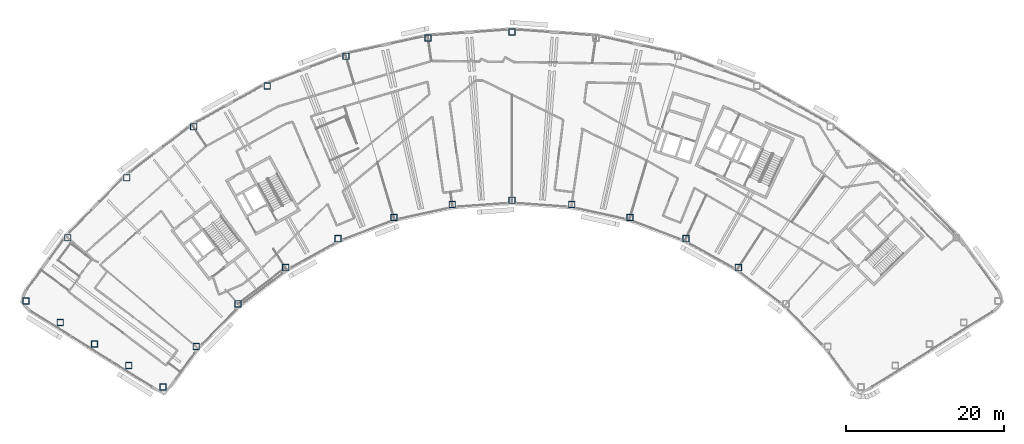
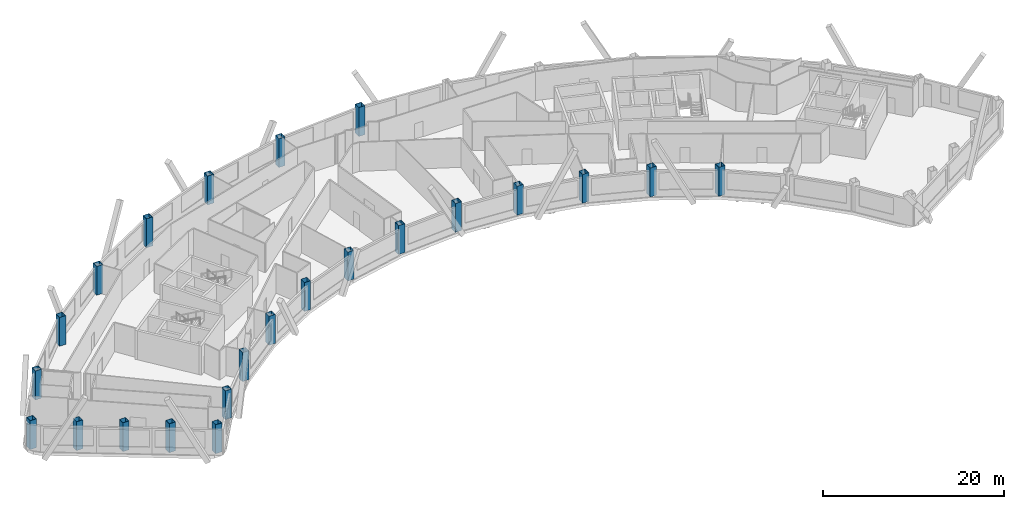
# One storey, part 1 of 13: 23 columns.
"""IFC4 building model written with IfcOpenShell, lengths in metres."""

from ifc_helpers import new_model, si_unit, direction, frame, origin, origin_2d, place, context, subcontext, project, spatial, hollow_rectangle, extrude, material, material_profile, profile_set, type_object, element, save


model = new_model("IFC4")

# Units and contexts
model_context = context("Model", 3, precision=1e-05, world=origin(), true_north=direction((0.0, 1.0)))
body_context = subcontext(model_context, "Body", "Model", "MODEL_VIEW")
ifc_project = project(units=[si_unit("LENGTHUNIT", "METRE"), si_unit("AREAUNIT", "SQUARE_METRE"), si_unit("VOLUMEUNIT", "CUBIC_METRE"), si_unit("PLANEANGLEUNIT", "RADIAN"), si_unit("MASSUNIT", "GRAM", prefix="KILO")], contexts=[model_context])

# Site, building, storey
site_placement = place(None, origin())
site = spatial("IfcSite", under=ifc_project, at=site_placement, CompositionType="ELEMENT")
building_placement = place(site_placement, origin())
building = spatial("IfcBuilding", under=site, at=building_placement, Name="Tuul Gate Civic Tower", CompositionType="ELEMENT")
storey_placement = place(building_placement, frame((0.0, 0.0, 319.699951171875)))
storey = spatial("IfcBuildingStorey", under=building, at=storey_placement, Name="Level 72", CompositionType="ELEMENT", Elevation=319.699951171875)

# Columns
ifc_material = material(Name="Steel S355", Category="steel")
ifc_material_profile = material_profile(ifc_material, hollow_rectangle(XDim=0.800048828125, YDim=0.800048828125, WallThickness=0.031982421875, at=origin_2d()), Name="BOX800x800x32")
ifc_profile_set = profile_set([ifc_material_profile], Name="Steel S355")
column_type = type_object("IfcColumnType", Name="STR-COLUMN-BOX800x800x32", PredefinedType="COLUMN", material=ifc_profile_set)
for number, where, z_axis, x_axis, name in (
    (1, (2.19189453125, 13.827880859375, 0.0), (0.0, 0.0, 1.0), (1.0, 0.0, 0.0), "Column"),
    (2, (-8.45703125, 13.055908203125, 0.0), (0.0, 0.0, 1.0), (1.0, 0.0, 0.0), "Column"),
    (3, (-18.885009765625, 10.758056640625, 0.0), (0.0, 0.0, 1.0), (1.0, 0.0, 0.0), "Column"),
    (4, (-28.8720703125, 6.98193359375, 0.0), (0.0, 0.0, 1.0), (1.0, 0.0, 0.0), "Column"),
    (5, (-38.2099609375, 1.804931640625, 0.0), (0.0, 0.0, 1.0), (1.0, 0.0, 0.0), "Column"),
    (6, (-46.7060546875, -4.6630859375, 0.0), (0.0, 0.0, 1.0), (1.0, 0.0, 0.0), "Column"),
    (7, (-54.179931640625, -12.2880859375, 0.0), (0.0, 0.0, 1.0), (1.0, 0.0, 0.0), "Column"),
    (8, (-59.47900390625, -20.300048828125, 0.0), (0.0, 0.0, 1.0), (1.0, 0.0, 0.0), "Column"),
    (9, (-55.135986328125, -23.034912109375, 0.0), (0.0, 0.0, 1.0), (1.0, 0.0, 0.0), "Column"),
    (10, (-50.7939453125, -25.77001953125, 0.0), (0.0, 0.0, 1.0), (1.0, 0.0, 0.0), "Column"),
    (11, (-46.450927734375, -28.50390625, 0.0), (0.0, 0.0, 1.0), (1.0, 0.0, 0.0), "Column"),
    (12, (-42.10888671875, -31.239013671875, 0.0), (0.0, 0.0, 1.0), (1.0, 0.0, 0.0), "Column"),
    (13, (-37.888916015625, -26.096923828125, 0.0), (0.0, 0.0, 1.0), (1.0, 0.0, 0.0), "Column"),
    (14, (-32.574951171875, -20.675048828125, 0.0), (0.0, 0.0, 1.0), (1.0, 0.0, 0.0), "Column"),
    (15, (-26.534912109375, -16.075927734375, 0.0), (0.0, 0.0, 1.0), (1.0, 0.0, 0.0), "Column"),
    (16, (-19.89501953125, -12.39599609375, 0.0), (0.0, 0.0, 1.0), (1.0, 0.0, 0.0), "Column"),
    (17, (-12.7939453125, -9.7099609375, 0.0), (0.0, 0.0, 1.0), (1.0, 0.0, 0.0), "Column"),
    (18, (-5.3798828125, -8.076904296875, 0.0), (0.0, 0.0, 1.0), (1.0, 0.0, 0.0), "Column"),
    (19, (2.19189453125, -7.528076171875, 0.0), (0.0, 0.0, 1.0), (1.0, 0.0, 0.0), "Column"),
    (20, (9.763916015625, -8.076904296875, 0.0), (0.0, 0.0, 1.0), (1.0, 0.0, 0.0), "Column"),
    (21, (17.177978515625, -9.7099609375, 0.0), (0.0, 0.0, 1.0), (1.0, 0.0, 0.0), "Column"),
    (22, (24.279052734375, -12.39599609375, 0.0), (0.0, 0.0, 1.0), (1.0, 0.0, 0.0), "Column"),
    (23, (30.9189453125, -16.075927734375, 0.0), (0.0, 0.0, 1.0), (1.0, 0.0, 0.0), "Column"),
):
    element("IfcColumn", number, at=place(storey_placement, frame(where, z_axis=z_axis, x_axis=x_axis)), inside=storey, type_object=column_type, Name=name, PredefinedType="COLUMN", context=body_context, shape_type="SweptSolid", body=[
        extrude(hollow_rectangle(XDim=0.800048828125, YDim=0.800048828125, WallThickness=0.031982421875, at=origin_2d()), origin(), (0.0, 0.0, 1.0), 3.900146484375),
    ])

save(model, "model.ifc")
